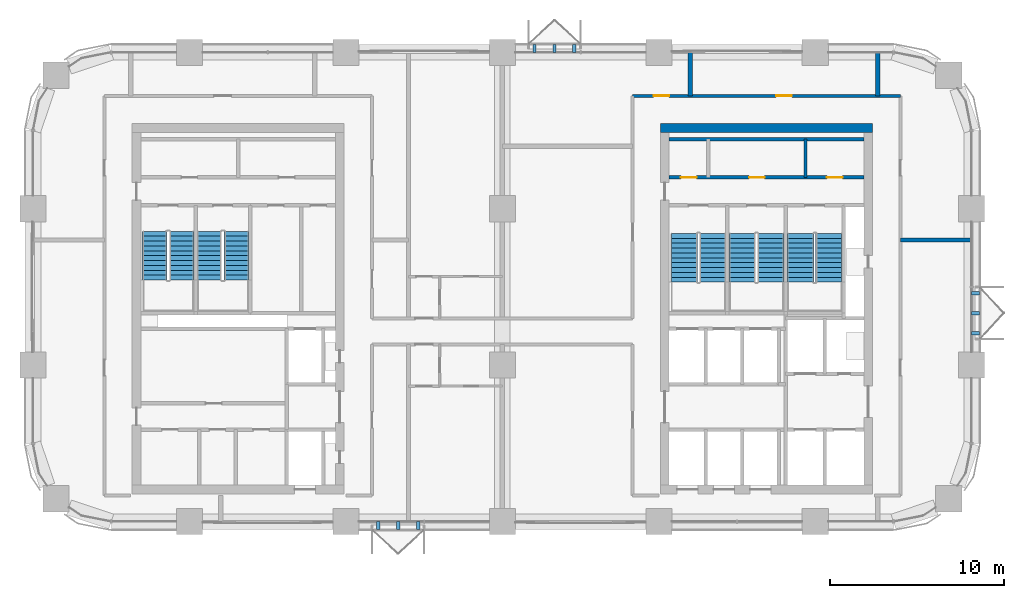
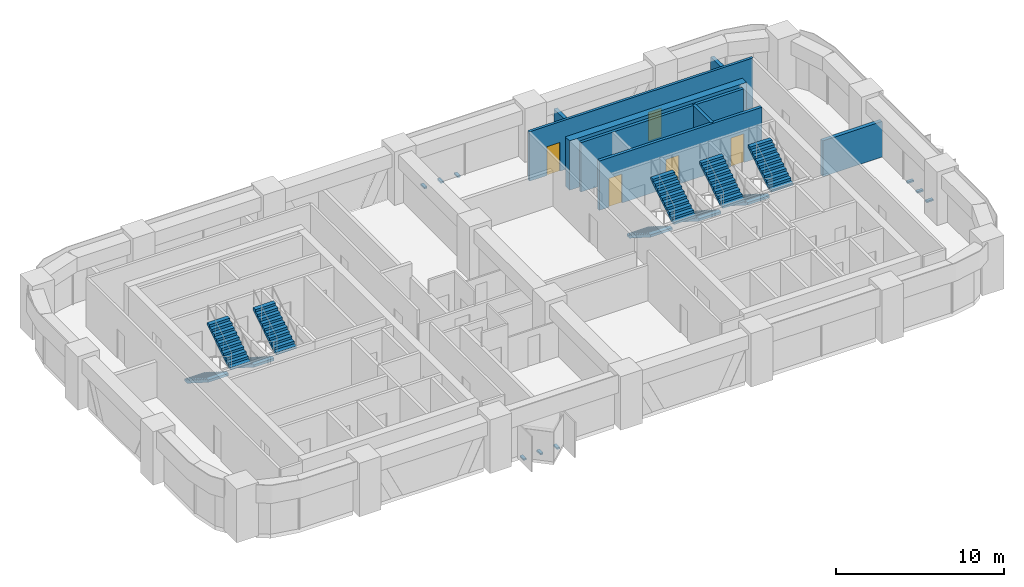
# One storey, part 11 of 13: 10 stair flights, 9 discrete accessories, 8 walls, 5 doors, 5 openings, 5 elements without a shape of their own.
"""IFC4 building model written with IfcOpenShell, lengths in metres."""

from ifc_helpers import new_model, si_unit, direction, frame, frame_2d, origin, origin_2d, place, context, subcontext, project, spatial, polyline, rectangle, outline, extrude, material, layer, layer_set, type_object, element, fill, aggregate, save


model = new_model("IFC4")

# Units and contexts
model_context = context("Model", 3, precision=1e-05, world=origin(), true_north=direction((0.0, 1.0)))
body_context = subcontext(model_context, "Body", "Model", "MODEL_VIEW")
ifc_project = project(units=[si_unit("LENGTHUNIT", "METRE"), si_unit("AREAUNIT", "SQUARE_METRE"), si_unit("VOLUMEUNIT", "CUBIC_METRE"), si_unit("PLANEANGLEUNIT", "RADIAN"), si_unit("MASSUNIT", "GRAM", prefix="KILO")], contexts=[model_context])

# Site, building, storey
site_placement = place(None, origin())
site = spatial("IfcSite", under=ifc_project, at=site_placement, CompositionType="ELEMENT")
building_placement = place(site_placement, origin())
building = spatial("IfcBuilding", under=site, at=building_placement, Name="Tessera Arch", CompositionType="ELEMENT")
storey_placement = place(building_placement, frame((0.0, 0.0, 162.199951171875)))
storey = spatial("IfcBuildingStorey", under=building, at=storey_placement, Name="L38", CompositionType="ELEMENT", Elevation=162.199951171875)

# Wall
ifc_material_1 = material(Name="Gypsum board on steel stud", Category="steel")
ifc_layer_1 = layer(ifc_material_1, 0.125)
ifc_layer_set_1 = layer_set([ifc_layer_1], Name="Core partition 125 EI 60")
wall_type_1 = type_object("IfcWallType", Name="Core partition 125 EI 60", PredefinedType="PARTITIONING", material=ifc_layer_set_1)
wall_1_placement = place(storey_placement, frame((44.43994140625, 46.800048828125, 0.0), z_axis=(0.0, 0.0, 1.0), x_axis=(0.0, 1.0, 0.0)))
element("IfcWall", 1, at=wall_1_placement, inside=storey, type_object=wall_type_1, Name="L38 C1 partition wall 13", PredefinedType="PARTITIONING", context=body_context, shape_type="SweptSolid", body=[
    extrude(rectangle(XDim=2.199951171875, YDim=0.199951171875, at=frame_2d((1.10009765625, 0.0))), origin(), (0.0, 0.0, 1.0), 3.60009765625),
])

# Wall, openings, doors
wall_2_placement = place(storey_placement, frame((36.60009765625, 46.800048828125, 0.0), z_axis=(0.0, 0.0, 1.0), x_axis=(1.0, 0.0, 0.0)))
wall_2 = element("IfcWall", 2, at=wall_2_placement, inside=storey, type_object=wall_type_1, Name="L38 C1 partition wall 32", PredefinedType="PARTITIONING", context=body_context, shape_type="SweptSolid", body=[
    extrude(rectangle(XDim=11.199951171875, YDim=0.199951171875, at=frame_2d((5.60009765625, 0.0))), origin(), (0.0, 0.0, 1.0), 3.60009765625),
])
opening_1_placement = place(wall_2_placement, frame((0.669921875, 0.0, 0.0)))
opening_1 = element("IfcOpeningElement", 3, at=opening_1_placement, cuts=wall_2, Name="Opening L38-C18", PredefinedType="OPENING", context=body_context, shape_type="SweptSolid", body=[
    extrude(rectangle(XDim=0.89990234375, YDim=2.10009765625, at=frame_2d((0.449951171875, 1.050048828125))), frame((0.0, 0.10986328125, 0.0), z_axis=(0.0, -1.0, 0.0), x_axis=(1.0, 0.0, 0.0)), (0.0, 0.0, 1.0), 0.219970703125),
])
opening_2_placement = place(wall_2_placement, frame((4.590087890625, 0.0, 0.0)))
opening_2 = element("IfcOpeningElement", 4, at=opening_2_placement, cuts=wall_2, Name="Opening L38-C19", PredefinedType="OPENING", context=body_context, shape_type="SweptSolid", body=[
    extrude(rectangle(XDim=0.89990234375, YDim=2.10009765625, at=frame_2d((0.449951171875, 1.050048828125))), frame((0.0, 0.10986328125, 0.0), z_axis=(0.0, -1.0, 0.0), x_axis=(1.0, 0.0, 0.0)), (0.0, 0.0, 1.0), 0.219970703125),
])
opening_3_placement = place(wall_2_placement, frame((9.070068359375, 0.0, 0.0)))
opening_3 = element("IfcOpeningElement", 5, at=opening_3_placement, cuts=wall_2, Name="Opening L38-C20", PredefinedType="OPENING", context=body_context, shape_type="SweptSolid", body=[
    extrude(rectangle(XDim=0.89990234375, YDim=2.10009765625, at=frame_2d((0.449951171875, 1.050048828125))), frame((0.0, 0.10986328125, 0.0), z_axis=(0.0, -1.0, 0.0), x_axis=(1.0, 0.0, 0.0)), (0.0, 0.0, 1.0), 0.219970703125),
])
ifc_material_2 = material(Name="Steel door leaf", Category="steel")
door_type_1 = type_object("IfcDoorType", Name="Store door FD30S 900 x 2100", OperationType="SINGLE_SWING_LEFT", PredefinedType="DOOR", material=ifc_material_2)
door_1_placement = place(opening_1_placement, origin())
door_1 = element("IfcDoor", 6, at=door_1_placement, inside=storey, type_object=door_type_1, Name="L38 C1 door 18 C18 type D09", OperationType="SINGLE_SWING_LEFT", OverallHeight=2.10009765625, OverallWidth=0.89990234375, PredefinedType="DOOR", context=body_context, shape_type="SweptSolid", body=[
    extrude(rectangle(XDim=0.89990234375, YDim=2.10009765625, at=frame_2d((0.449951171875, 1.050048828125))), frame((0.0, 0.02490234375, 0.0), z_axis=(0.0, -1.0, 0.0), x_axis=(1.0, 0.0, 0.0)), (0.0, 0.0, 1.0), 0.050048828125),
])
fill(opening_1, door_1)
door_2_placement = place(opening_2_placement, origin())
door_2 = element("IfcDoor", 7, at=door_2_placement, inside=storey, type_object=door_type_1, Name="L38 C1 door 19 C19 type D09", OperationType="SINGLE_SWING_LEFT", OverallHeight=2.10009765625, OverallWidth=0.89990234375, PredefinedType="DOOR", context=body_context, shape_type="SweptSolid", body=[
    extrude(rectangle(XDim=0.89990234375, YDim=2.10009765625, at=frame_2d((0.449951171875, 1.050048828125))), frame((0.0, 0.02490234375, 0.0), z_axis=(0.0, -1.0, 0.0), x_axis=(1.0, 0.0, 0.0)), (0.0, 0.0, 1.0), 0.050048828125),
])
fill(opening_2, door_2)
door_3_placement = place(opening_3_placement, origin())
door_3 = element("IfcDoor", 8, at=door_3_placement, inside=storey, type_object=door_type_1, Name="L38 C1 door 20 C20 type D09", OperationType="SINGLE_SWING_RIGHT", OverallHeight=2.10009765625, OverallWidth=0.89990234375, PredefinedType="DOOR", context=body_context, shape_type="SweptSolid", body=[
    extrude(rectangle(XDim=0.89990234375, YDim=2.10009765625, at=frame_2d((0.449951171875, 1.050048828125))), frame((0.0, 0.02490234375, 0.0), z_axis=(0.0, -1.0, 0.0), x_axis=(1.0, 0.0, 0.0)), (0.0, 0.0, 1.0), 0.050048828125),
])
fill(opening_3, door_3)

# Walls
wall_3_placement = place(storey_placement, frame((36.60009765625, 49.0, 0.0), z_axis=(0.0, 0.0, 1.0), x_axis=(1.0, 0.0, 0.0)))
element("IfcWall", 9, at=wall_3_placement, inside=storey, type_object=wall_type_1, Name="L38 C1 partition wall 33", PredefinedType="PARTITIONING", context=body_context, shape_type="SweptSolid", body=[
    extrude(rectangle(XDim=11.199951171875, YDim=0.199951171875, at=frame_2d((5.60009765625, 0.0))), origin(), (0.0, 0.0, 1.0), 3.60009765625),
])
ifc_material_3 = material(Name="Concrete C60/75", Category="concrete")
ifc_layer_2 = layer(ifc_material_3, 0.5)
ifc_layer_set_2 = layer_set([ifc_layer_2], Name="Core shell wall 500 C60-75")
wall_type_2 = type_object("IfcWallType", Name="Core shell wall 500 C60-75", PredefinedType="SHEAR", material=ifc_layer_set_2)
wall_4_placement = place(storey_placement, frame((36.10009765625, 49.64990234375, 0.0), z_axis=(0.0, 0.0, 1.0), x_axis=(1.0, 0.0, 0.0)))
element("IfcWall", 10, at=wall_4_placement, inside=storey, type_object=wall_type_2, Name="L38 C1 core wall N", PredefinedType="SHEAR", context=body_context, shape_type="SweptSolid", body=[
    extrude(rectangle(XDim=12.199951171875, YDim=0.5, at=frame_2d((6.10009765625, 0.0))), origin(), (0.0, 0.0, 1.0), 3.60009765625),
])

# Wall, openings, doors
ifc_material_4 = material(Name="Gypsum board on deep steel stud with mineral wool", Category="steel")
ifc_layer_3 = layer(ifc_material_4, 0.175048828125)
ifc_layer_set_3 = layer_set([ifc_layer_3], Name="Corridor wall 175 EI 60")
wall_type_3 = type_object("IfcWallType", Name="Corridor wall 175 EI 60", PredefinedType="PARTITIONING", material=ifc_layer_set_3)
wall_5_placement = place(storey_placement, frame((34.5, 51.5, 0.0), z_axis=(0.0, 0.0, 1.0), x_axis=(1.0, 0.0, 0.0)))
wall_5 = element("IfcWall", 11, at=wall_5_placement, inside=storey, type_object=wall_type_3, Name="L38 partition 8", PredefinedType="PARTITIONING", context=body_context, shape_type="SweptSolid", body=[
    extrude(rectangle(XDim=15.39990234375, YDim=0.175048828125, at=frame_2d((7.699951171875, 0.0))), origin(), (0.0, 0.0, 1.0), 3.60009765625),
])
opening_4_placement = place(wall_5_placement, frame((1.199951171875, 0.0, 0.0)))
opening_4 = element("IfcOpeningElement", 12, at=opening_4_placement, cuts=wall_5, Name="Opening L38-D018", PredefinedType="OPENING", context=body_context, shape_type="SweptSolid", body=[
    extrude(rectangle(XDim=0.89990234375, YDim=2.10009765625, at=frame_2d((0.449951171875, 1.050048828125))), frame((0.0, 0.097412109375, 0.0), z_axis=(0.0, -1.0, 0.0), x_axis=(1.0, 0.0, 0.0)), (0.0, 0.0, 1.0), 0.195068359375),
])
opening_5_placement = place(wall_5_placement, frame((8.25, 0.0, 0.0)))
opening_5 = element("IfcOpeningElement", 13, at=opening_5_placement, cuts=wall_5, Name="Opening L38-D020", PredefinedType="OPENING", context=body_context, shape_type="SweptSolid", body=[
    extrude(rectangle(XDim=0.89990234375, YDim=2.10009765625, at=frame_2d((0.449951171875, 1.050048828125))), frame((0.0, 0.097412109375, 0.0), z_axis=(0.0, -1.0, 0.0), x_axis=(1.0, 0.0, 0.0)), (0.0, 0.0, 1.0), 0.195068359375),
])
ifc_material_5 = material(Name="Timber door leaf", Category="wood")
door_type_2 = type_object("IfcDoorType", Name="Room door 900 x 2100", OperationType="SINGLE_SWING_LEFT", PredefinedType="DOOR", material=ifc_material_5)
door_4_placement = place(opening_4_placement, origin())
door_4 = element("IfcDoor", 14, at=door_4_placement, inside=storey, type_object=door_type_2, Name="L38 door D018 type D01", OperationType="SINGLE_SWING_RIGHT", OverallHeight=2.10009765625, OverallWidth=0.89990234375, PredefinedType="DOOR", context=body_context, shape_type="SweptSolid", body=[
    extrude(rectangle(XDim=0.89990234375, YDim=2.10009765625, at=frame_2d((0.449951171875, 1.050048828125))), frame((0.0, 0.02490234375, 0.0), z_axis=(0.0, -1.0, 0.0), x_axis=(1.0, 0.0, 0.0)), (0.0, 0.0, 1.0), 0.050048828125),
])
fill(opening_4, door_4)
door_5_placement = place(opening_5_placement, origin())
door_5 = element("IfcDoor", 15, at=door_5_placement, inside=storey, type_object=door_type_2, Name="L38 door D020 type D01", OperationType="SINGLE_SWING_RIGHT", OverallHeight=2.10009765625, OverallWidth=0.89990234375, PredefinedType="DOOR", context=body_context, shape_type="SweptSolid", body=[
    extrude(rectangle(XDim=0.89990234375, YDim=2.10009765625, at=frame_2d((0.449951171875, 1.050048828125))), frame((0.0, 0.02490234375, 0.0), z_axis=(0.0, -1.0, 0.0), x_axis=(1.0, 0.0, 0.0)), (0.0, 0.0, 1.0), 0.050048828125),
])
fill(opening_5, door_5)

# Walls
ifc_material_6 = material(Name="Double gypsum board on twin steel stud with acoustic mineral wool", Category="steel")
ifc_layer_4 = layer(ifc_material_6, 0.25)
ifc_layer_set_4 = layer_set([ifc_layer_4], Name="Party wall 250 EI 60")
wall_type_4 = type_object("IfcWallType", Name="Party wall 250 EI 60", PredefinedType="PARTITIONING", material=ifc_layer_set_4)
wall_6_placement = place(storey_placement, frame((49.89990234375, 43.199951171875, 0.0), z_axis=(0.0, 0.0, 1.0), x_axis=(1.0, 0.0, 0.0)))
element("IfcWall", 16, at=wall_6_placement, inside=storey, type_object=wall_type_4, Name="L38 partition 19", PredefinedType="PARTITIONING", context=body_context, shape_type="SweptSolid", body=[
    extrude(rectangle(XDim=4.10009765625, YDim=0.25, at=frame_2d((2.050048828125, 0.0))), origin(), (0.0, 0.0, 1.0), 2.60009765625),
])
for number, where, z_axis, x_axis, name in (
    (17, (37.800048828125, 51.5, 0.0), (0.0, 0.0, 1.0), (0.0, 1.0, 0.0), "L38 partition 28"),
    (18, (48.60009765625, 51.5, 0.0), (0.0, 0.0, 1.0), (0.0, 1.0, 0.0), "L38 partition 30"),
):
    element("IfcWall", number, at=place(storey_placement, frame(where, z_axis=z_axis, x_axis=x_axis)), inside=storey, type_object=wall_type_4, Name=name, PredefinedType="PARTITIONING", context=body_context, shape_type="SweptSolid", body=[
        extrude(rectangle(XDim=2.5, YDim=0.25, at=frame_2d((1.25, 0.0))), origin(), (0.0, 0.0, 1.0), 2.60009765625),
    ])

# Stair, stair flights
ifc_material_7 = material(Name="Concrete C40/50", Category="concrete")
stair_type_1 = type_object("IfcStairType", Name="Dogleg stair 1400", PredefinedType="HALF_TURN_STAIR", material=ifc_material_7)
stair_1_placement = place(storey_placement, origin())
stair_1 = element("IfcStair", 19, at=stair_1_placement, inside=storey, type_object=stair_type_1, Name="L38 S2a", PredefinedType="HALF_TURN_STAIR")
ifc_material_8 = material(Name="Concrete C40/50", Category="concrete")
stair_flight_type_1 = type_object("IfcStairFlightType", Name="Stair flight 1400", PredefinedType="STRAIGHT", material=ifc_material_8)
stair_flight_1_placement = place(storey_placement, frame((7.0, 43.699951171875, 0.0), z_axis=(0.0, 0.0, 1.0), x_axis=(0.0, -1.0, 0.0)))
stair_flight_1 = element("IfcStairFlight", 20, at=stair_flight_1_placement, type_object=stair_flight_type_1, Name="S2a flight 1", NumberOfRisers=11, NumberOfTreads=10, PredefinedType="STRAIGHT", RiserHeight=0.177272727, TreadLength=0.28, context=body_context, shape_type="SweptSolid", body=[
    extrude(outline(polyline([(0.0, 0.0), (0.0, 0.17724609375), (0.280029296875, 0.17724609375), (0.280029296875, 0.3544921875), (0.56005859375, 0.3544921875), (0.56005859375, 0.53173828125), (0.840087890625, 0.53173828125), (0.840087890625, 0.708984375), (1.1201171875, 0.708984375), (1.1201171875, 0.886474609375), (1.39990234375, 0.886474609375), (1.39990234375, 1.063720703125), (1.679931640625, 1.063720703125), (1.679931640625, 1.240966796875), (1.9599609375, 1.240966796875), (1.9599609375, 1.418212890625), (2.239990234375, 1.418212890625), (2.239990234375, 1.595458984375), (2.52001953125, 1.595458984375), (2.52001953125, 1.772705078125), (2.800048828125, 1.772705078125), (2.800048828125, 1.949951171875), (2.800048828125, 1.59521484375), (0.2802734375, 0.0), (0.0, 0.0)])), frame((0.0, 0.699951171875, 0.0), z_axis=(0.0, -1.0, 0.0), x_axis=(1.0, 0.0, 0.0)), (0.0, 0.0, 1.0), 1.39990234375),
])
stair_flight_2_placement = place(storey_placement, frame((8.550048828125, 40.89990234375, 1.949951171875), z_axis=(0.0, 0.0, 1.0), x_axis=(0.0, 1.0, 0.0)))
stair_flight_2 = element("IfcStairFlight", 21, at=stair_flight_2_placement, type_object=stair_flight_type_1, Name="S2a flight 2", NumberOfRisers=11, NumberOfTreads=10, PredefinedType="STRAIGHT", RiserHeight=0.177272727, TreadLength=0.28, context=body_context, shape_type="SweptSolid", body=[
    extrude(outline(polyline([(0.0, 0.0), (0.0, 0.17724609375), (0.280029296875, 0.17724609375), (0.280029296875, 0.3544921875), (0.56005859375, 0.3544921875), (0.56005859375, 0.53173828125), (0.840087890625, 0.53173828125), (0.840087890625, 0.708984375), (1.1201171875, 0.708984375), (1.1201171875, 0.886474609375), (1.39990234375, 0.886474609375), (1.39990234375, 1.063720703125), (1.679931640625, 1.063720703125), (1.679931640625, 1.240966796875), (1.9599609375, 1.240966796875), (1.9599609375, 1.418212890625), (2.239990234375, 1.418212890625), (2.239990234375, 1.595458984375), (2.52001953125, 1.595458984375), (2.52001953125, 1.772705078125), (2.800048828125, 1.772705078125), (2.800048828125, 1.949951171875), (2.800048828125, 1.59521484375), (0.2802734375, 0.0), (0.0, 0.0)])), frame((0.0, 0.699951171875, 0.0), z_axis=(0.0, -1.0, 0.0), x_axis=(1.0, 0.0, 0.0)), (0.0, 0.0, 1.0), 1.39990234375),
])
aggregate(stair_1, [stair_flight_1, stair_flight_2])

stair_2_placement = place(storey_placement, origin())
stair_2 = element("IfcStair", 22, at=stair_2_placement, inside=storey, type_object=stair_type_1, Name="L38 S2b", PredefinedType="HALF_TURN_STAIR")
stair_flight_3_placement = place(storey_placement, frame((10.14990234375, 43.699951171875, 0.0), z_axis=(0.0, 0.0, 1.0), x_axis=(0.0, -1.0, 0.0)))
stair_flight_3 = element("IfcStairFlight", 23, at=stair_flight_3_placement, type_object=stair_flight_type_1, Name="S2b flight 1", NumberOfRisers=11, NumberOfTreads=10, PredefinedType="STRAIGHT", RiserHeight=0.177272727, TreadLength=0.28, context=body_context, shape_type="SweptSolid", body=[
    extrude(outline(polyline([(0.0, 0.0), (0.0, 0.17724609375), (0.280029296875, 0.17724609375), (0.280029296875, 0.3544921875), (0.56005859375, 0.3544921875), (0.56005859375, 0.53173828125), (0.840087890625, 0.53173828125), (0.840087890625, 0.708984375), (1.1201171875, 0.708984375), (1.1201171875, 0.886474609375), (1.39990234375, 0.886474609375), (1.39990234375, 1.063720703125), (1.679931640625, 1.063720703125), (1.679931640625, 1.240966796875), (1.9599609375, 1.240966796875), (1.9599609375, 1.418212890625), (2.239990234375, 1.418212890625), (2.239990234375, 1.595458984375), (2.52001953125, 1.595458984375), (2.52001953125, 1.772705078125), (2.800048828125, 1.772705078125), (2.800048828125, 1.949951171875), (2.800048828125, 1.59521484375), (0.2802734375, 0.0), (0.0, 0.0)])), frame((0.0, 0.699951171875, 0.0), z_axis=(0.0, -1.0, 0.0), x_axis=(1.0, 0.0, 0.0)), (0.0, 0.0, 1.0), 1.39990234375),
])
stair_flight_4_placement = place(storey_placement, frame((11.699951171875, 40.89990234375, 1.949951171875), z_axis=(0.0, 0.0, 1.0), x_axis=(0.0, 1.0, 0.0)))
stair_flight_4 = element("IfcStairFlight", 24, at=stair_flight_4_placement, type_object=stair_flight_type_1, Name="S2b flight 2", NumberOfRisers=11, NumberOfTreads=10, PredefinedType="STRAIGHT", RiserHeight=0.177272727, TreadLength=0.28, context=body_context, shape_type="SweptSolid", body=[
    extrude(outline(polyline([(0.0, 0.0), (0.0, 0.17724609375), (0.280029296875, 0.17724609375), (0.280029296875, 0.3544921875), (0.56005859375, 0.3544921875), (0.56005859375, 0.53173828125), (0.840087890625, 0.53173828125), (0.840087890625, 0.708984375), (1.1201171875, 0.708984375), (1.1201171875, 0.886474609375), (1.39990234375, 0.886474609375), (1.39990234375, 1.063720703125), (1.679931640625, 1.063720703125), (1.679931640625, 1.240966796875), (1.9599609375, 1.240966796875), (1.9599609375, 1.418212890625), (2.239990234375, 1.418212890625), (2.239990234375, 1.595458984375), (2.52001953125, 1.595458984375), (2.52001953125, 1.772705078125), (2.800048828125, 1.772705078125), (2.800048828125, 1.949951171875), (2.800048828125, 1.59521484375), (0.2802734375, 0.0), (0.0, 0.0)])), frame((0.0, 0.699951171875, 0.0), z_axis=(0.0, -1.0, 0.0), x_axis=(1.0, 0.0, 0.0)), (0.0, 0.0, 1.0), 1.39990234375),
])
aggregate(stair_2, [stair_flight_3, stair_flight_4])

ifc_material_9 = material(Name="Concrete C40/50", Category="concrete")
stair_type_2 = type_object("IfcStairType", Name="Dogleg stair 1520", PredefinedType="HALF_TURN_STAIR", material=ifc_material_9)
stair_3_placement = place(storey_placement, origin())
stair_3 = element("IfcStair", 25, at=stair_3_placement, inside=storey, type_object=stair_type_2, Name="L38 S1a", PredefinedType="HALF_TURN_STAIR")
ifc_material_10 = material(Name="Concrete C40/50", Category="concrete")
stair_flight_type_2 = type_object("IfcStairFlightType", Name="Stair flight 1520", PredefinedType="STRAIGHT", material=ifc_material_10)
stair_flight_5_placement = place(storey_placement, frame((37.4599609375, 43.580078125, 0.0), z_axis=(0.0, 0.0, 1.0), x_axis=(0.0, -1.0, 0.0)))
stair_flight_5 = element("IfcStairFlight", 26, at=stair_flight_5_placement, type_object=stair_flight_type_2, Name="S1a flight 1", NumberOfRisers=11, NumberOfTreads=10, PredefinedType="STRAIGHT", RiserHeight=0.177272727, TreadLength=0.28, context=body_context, shape_type="SweptSolid", body=[
    extrude(outline(polyline([(0.0, 0.0), (0.0, 0.17724609375), (0.280029296875, 0.17724609375), (0.280029296875, 0.3544921875), (0.56005859375, 0.3544921875), (0.56005859375, 0.53173828125), (0.840087890625, 0.53173828125), (0.840087890625, 0.708984375), (1.1201171875, 0.708984375), (1.1201171875, 0.886474609375), (1.39990234375, 0.886474609375), (1.39990234375, 1.063720703125), (1.679931640625, 1.063720703125), (1.679931640625, 1.240966796875), (1.9599609375, 1.240966796875), (1.9599609375, 1.418212890625), (2.239990234375, 1.418212890625), (2.239990234375, 1.595458984375), (2.52001953125, 1.595458984375), (2.52001953125, 1.772705078125), (2.800048828125, 1.772705078125), (2.800048828125, 1.949951171875), (2.800048828125, 1.59521484375), (0.2802734375, 0.0), (0.0, 0.0)])), frame((0.0, 0.760009765625, 0.0), z_axis=(0.0, -1.0, 0.0), x_axis=(1.0, 0.0, 0.0)), (0.0, 0.0, 1.0), 1.52001953125),
])
stair_flight_6_placement = place(storey_placement, frame((39.090087890625, 40.780029296875, 1.949951171875), z_axis=(0.0, 0.0, 1.0), x_axis=(0.0, 1.0, 0.0)))
stair_flight_6 = element("IfcStairFlight", 27, at=stair_flight_6_placement, type_object=stair_flight_type_2, Name="S1a flight 2", NumberOfRisers=11, NumberOfTreads=10, PredefinedType="STRAIGHT", RiserHeight=0.177272727, TreadLength=0.28, context=body_context, shape_type="SweptSolid", body=[
    extrude(outline(polyline([(0.0, 0.0), (0.0, 0.17724609375), (0.280029296875, 0.17724609375), (0.280029296875, 0.3544921875), (0.56005859375, 0.3544921875), (0.56005859375, 0.53173828125), (0.840087890625, 0.53173828125), (0.840087890625, 0.708984375), (1.1201171875, 0.708984375), (1.1201171875, 0.886474609375), (1.39990234375, 0.886474609375), (1.39990234375, 1.063720703125), (1.679931640625, 1.063720703125), (1.679931640625, 1.240966796875), (1.9599609375, 1.240966796875), (1.9599609375, 1.418212890625), (2.239990234375, 1.418212890625), (2.239990234375, 1.595458984375), (2.52001953125, 1.595458984375), (2.52001953125, 1.772705078125), (2.800048828125, 1.772705078125), (2.800048828125, 1.949951171875), (2.800048828125, 1.59521484375), (0.2802734375, 0.0), (0.0, 0.0)])), frame((0.0, 0.760009765625, 0.0), z_axis=(0.0, -1.0, 0.0), x_axis=(1.0, 0.0, 0.0)), (0.0, 0.0, 1.0), 1.52001953125),
])
aggregate(stair_3, [stair_flight_5, stair_flight_6])

stair_4_placement = place(storey_placement, origin())
stair_4 = element("IfcStair", 28, at=stair_4_placement, inside=storey, type_object=stair_type_2, Name="L38 S1b", PredefinedType="HALF_TURN_STAIR")
stair_flight_7_placement = place(storey_placement, frame((40.81005859375, 43.580078125, 0.0), z_axis=(0.0, 0.0, 1.0), x_axis=(0.0, -1.0, 0.0)))
stair_flight_7 = element("IfcStairFlight", 29, at=stair_flight_7_placement, type_object=stair_flight_type_2, Name="S1b flight 1", NumberOfRisers=11, NumberOfTreads=10, PredefinedType="STRAIGHT", RiserHeight=0.177272727, TreadLength=0.28, context=body_context, shape_type="SweptSolid", body=[
    extrude(outline(polyline([(0.0, 0.0), (0.0, 0.17724609375), (0.280029296875, 0.17724609375), (0.280029296875, 0.3544921875), (0.56005859375, 0.3544921875), (0.56005859375, 0.53173828125), (0.840087890625, 0.53173828125), (0.840087890625, 0.708984375), (1.1201171875, 0.708984375), (1.1201171875, 0.886474609375), (1.39990234375, 0.886474609375), (1.39990234375, 1.063720703125), (1.679931640625, 1.063720703125), (1.679931640625, 1.240966796875), (1.9599609375, 1.240966796875), (1.9599609375, 1.418212890625), (2.239990234375, 1.418212890625), (2.239990234375, 1.595458984375), (2.52001953125, 1.595458984375), (2.52001953125, 1.772705078125), (2.800048828125, 1.772705078125), (2.800048828125, 1.949951171875), (2.800048828125, 1.59521484375), (0.2802734375, 0.0), (0.0, 0.0)])), frame((0.0, 0.760009765625, 0.0), z_axis=(0.0, -1.0, 0.0), x_axis=(1.0, 0.0, 0.0)), (0.0, 0.0, 1.0), 1.52001953125),
])
stair_flight_8_placement = place(storey_placement, frame((42.43994140625, 40.780029296875, 1.949951171875), z_axis=(0.0, 0.0, 1.0), x_axis=(0.0, 1.0, 0.0)))
stair_flight_8 = element("IfcStairFlight", 30, at=stair_flight_8_placement, type_object=stair_flight_type_2, Name="S1b flight 2", NumberOfRisers=11, NumberOfTreads=10, PredefinedType="STRAIGHT", RiserHeight=0.177272727, TreadLength=0.28, context=body_context, shape_type="SweptSolid", body=[
    extrude(outline(polyline([(0.0, 0.0), (0.0, 0.17724609375), (0.280029296875, 0.17724609375), (0.280029296875, 0.3544921875), (0.56005859375, 0.3544921875), (0.56005859375, 0.53173828125), (0.840087890625, 0.53173828125), (0.840087890625, 0.708984375), (1.1201171875, 0.708984375), (1.1201171875, 0.886474609375), (1.39990234375, 0.886474609375), (1.39990234375, 1.063720703125), (1.679931640625, 1.063720703125), (1.679931640625, 1.240966796875), (1.9599609375, 1.240966796875), (1.9599609375, 1.418212890625), (2.239990234375, 1.418212890625), (2.239990234375, 1.595458984375), (2.52001953125, 1.595458984375), (2.52001953125, 1.772705078125), (2.800048828125, 1.772705078125), (2.800048828125, 1.949951171875), (2.800048828125, 1.59521484375), (0.2802734375, 0.0), (0.0, 0.0)])), frame((0.0, 0.760009765625, 0.0), z_axis=(0.0, -1.0, 0.0), x_axis=(1.0, 0.0, 0.0)), (0.0, 0.0, 1.0), 1.52001953125),
])
aggregate(stair_4, [stair_flight_7, stair_flight_8])

stair_5_placement = place(storey_placement, origin())
stair_5 = element("IfcStair", 31, at=stair_5_placement, inside=storey, type_object=stair_type_2, Name="L38 S1c", PredefinedType="HALF_TURN_STAIR")
stair_flight_9_placement = place(storey_placement, frame((44.159912109375, 43.580078125, 0.0), z_axis=(0.0, 0.0, 1.0), x_axis=(0.0, -1.0, 0.0)))
stair_flight_9 = element("IfcStairFlight", 32, at=stair_flight_9_placement, type_object=stair_flight_type_2, Name="S1c flight 1", NumberOfRisers=11, NumberOfTreads=10, PredefinedType="STRAIGHT", RiserHeight=0.177272727, TreadLength=0.28, context=body_context, shape_type="SweptSolid", body=[
    extrude(outline(polyline([(0.0, 0.0), (0.0, 0.17724609375), (0.280029296875, 0.17724609375), (0.280029296875, 0.3544921875), (0.56005859375, 0.3544921875), (0.56005859375, 0.53173828125), (0.840087890625, 0.53173828125), (0.840087890625, 0.708984375), (1.1201171875, 0.708984375), (1.1201171875, 0.886474609375), (1.39990234375, 0.886474609375), (1.39990234375, 1.063720703125), (1.679931640625, 1.063720703125), (1.679931640625, 1.240966796875), (1.9599609375, 1.240966796875), (1.9599609375, 1.418212890625), (2.239990234375, 1.418212890625), (2.239990234375, 1.595458984375), (2.52001953125, 1.595458984375), (2.52001953125, 1.772705078125), (2.800048828125, 1.772705078125), (2.800048828125, 1.949951171875), (2.800048828125, 1.59521484375), (0.2802734375, 0.0), (0.0, 0.0)])), frame((0.0, 0.760009765625, 0.0), z_axis=(0.0, -1.0, 0.0), x_axis=(1.0, 0.0, 0.0)), (0.0, 0.0, 1.0), 1.52001953125),
])
stair_flight_10_placement = place(storey_placement, frame((45.7900390625, 40.780029296875, 1.949951171875), z_axis=(0.0, 0.0, 1.0), x_axis=(0.0, 1.0, 0.0)))
stair_flight_10 = element("IfcStairFlight", 33, at=stair_flight_10_placement, type_object=stair_flight_type_2, Name="S1c flight 2", NumberOfRisers=11, NumberOfTreads=10, PredefinedType="STRAIGHT", RiserHeight=0.177272727, TreadLength=0.28, context=body_context, shape_type="SweptSolid", body=[
    extrude(outline(polyline([(0.0, 0.0), (0.0, 0.17724609375), (0.280029296875, 0.17724609375), (0.280029296875, 0.3544921875), (0.56005859375, 0.3544921875), (0.56005859375, 0.53173828125), (0.840087890625, 0.53173828125), (0.840087890625, 0.708984375), (1.1201171875, 0.708984375), (1.1201171875, 0.886474609375), (1.39990234375, 0.886474609375), (1.39990234375, 1.063720703125), (1.679931640625, 1.063720703125), (1.679931640625, 1.240966796875), (1.9599609375, 1.240966796875), (1.9599609375, 1.418212890625), (2.239990234375, 1.418212890625), (2.239990234375, 1.595458984375), (2.52001953125, 1.595458984375), (2.52001953125, 1.772705078125), (2.800048828125, 1.772705078125), (2.800048828125, 1.949951171875), (2.800048828125, 1.59521484375), (0.2802734375, 0.0), (0.0, 0.0)])), frame((0.0, 0.760009765625, 0.0), z_axis=(0.0, -1.0, 0.0), x_axis=(1.0, 0.0, 0.0)), (0.0, 0.0, 1.0), 1.52001953125),
])
aggregate(stair_5, [stair_flight_9, stair_flight_10])

# Discrete accessories
for number, where, z_axis, x_axis, name in (
    (34, (19.85009765625, 26.780029296875, -0.1201171875), (0.0, 0.0, 1.0), (0.0, -1.0, 0.0), "Window box bracket"),
    (35, (21.0, 26.780029296875, -0.1201171875), (0.0, 0.0, 1.0), (0.0, -1.0, 0.0), "Window box bracket"),
    (36, (22.14990234375, 26.780029296875, -0.1201171875), (0.0, 0.0, 1.0), (0.0, -1.0, 0.0), "Window box bracket"),
    (37, (31.14990234375, 54.219970703125, -0.1201171875), (0.0, 0.0, 1.0), (0.0, 1.0, 0.0), "Window box bracket"),
    (38, (30.0, 54.219970703125, -0.1201171875), (0.0, 0.0, 1.0), (0.0, 1.0, 0.0), "Window box bracket"),
    (39, (28.85009765625, 54.219970703125, -0.1201171875), (0.0, 0.0, 1.0), (0.0, 1.0, 0.0), "Window box bracket"),
    (40, (54.219970703125, 37.85009765625, -0.1201171875), (0.0, 0.0, 1.0), (1.0, 0.0, 0.0), "Window box bracket"),
    (41, (54.219970703125, 39.0, -0.1201171875), (0.0, 0.0, 1.0), (1.0, 0.0, 0.0), "Window box bracket"),
    (42, (54.219970703125, 40.14990234375, -0.1201171875), (0.0, 0.0, 1.0), (1.0, 0.0, 0.0), "Window box bracket"),
):
    element("IfcDiscreteAccessory", number, at=place(storey_placement, frame(where, z_axis=z_axis, x_axis=x_axis)), inside=storey, Name=name, PredefinedType="BRACKET", context=body_context, shape_type="SweptSolid", body=[
        extrude(rectangle(XDim=0.43994140625, YDim=0.199951171875, at=origin_2d()), origin(), (0.0, 0.0, 1.0), 0.1201171875),
    ])

save(model, "model.ifc")
